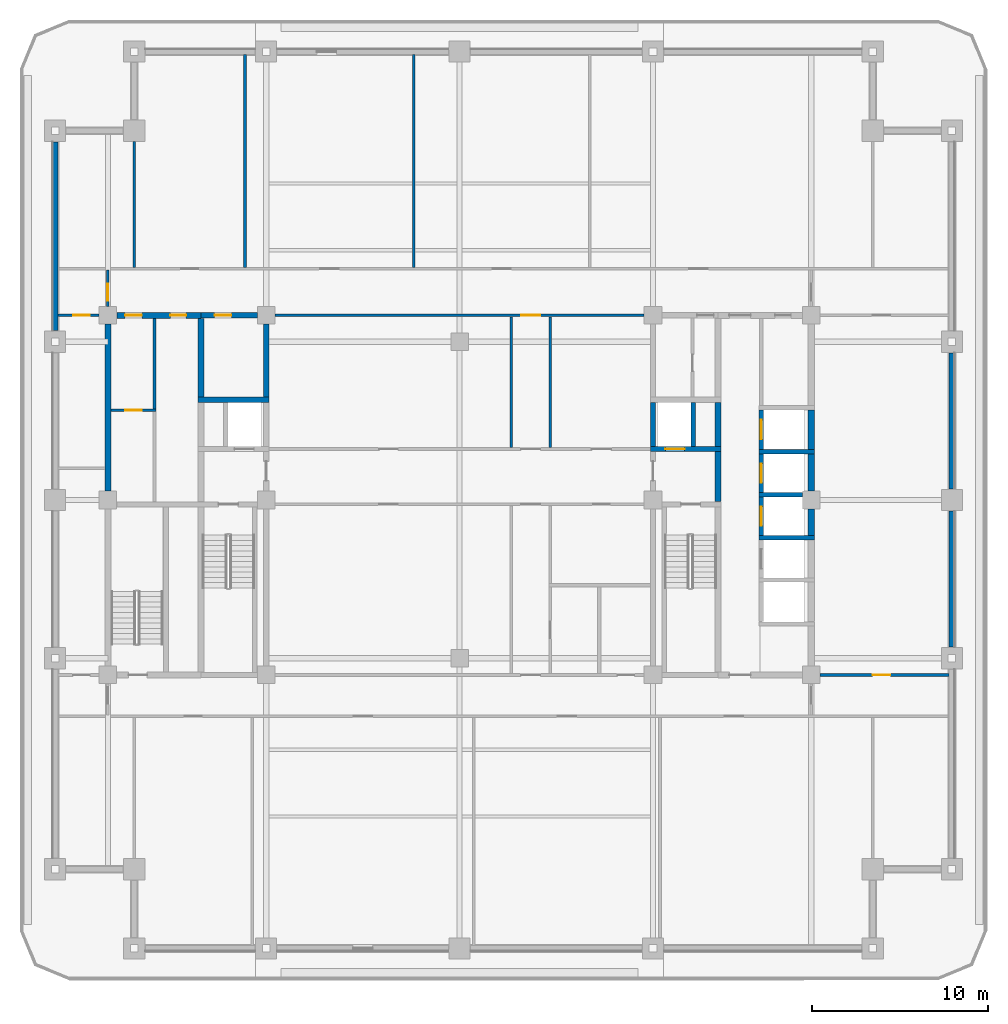
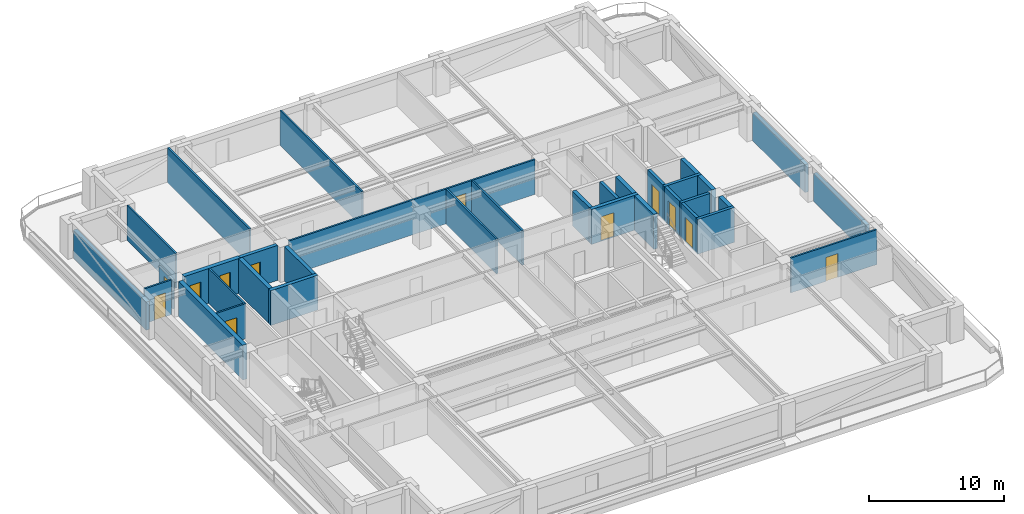
# One storey, part 4 of 13: 34 walls, 12 doors, 12 openings.
"""IFC4 building model written with IfcOpenShell, lengths in metres."""

from ifc_helpers import new_model, si_unit, direction, frame, frame_2d, origin, place, context, subcontext, project, spatial, rectangle, extrude, material, layer, layer_set, type_object, element, fill, save


model = new_model("IFC4")

# Units and contexts
model_context = context("Model", 3, precision=1e-05, world=origin(), true_north=direction((0.0, 1.0)))
body_context = subcontext(model_context, "Body", "Model", "MODEL_VIEW")
ifc_project = project(units=[si_unit("LENGTHUNIT", "METRE"), si_unit("AREAUNIT", "SQUARE_METRE"), si_unit("VOLUMEUNIT", "CUBIC_METRE"), si_unit("PLANEANGLEUNIT", "RADIAN"), si_unit("MASSUNIT", "GRAM", prefix="KILO")], contexts=[model_context])

# Site, building, storey
site_placement = place(None, origin())
site = spatial("IfcSite", under=ifc_project, at=site_placement, CompositionType="ELEMENT")
building_placement = place(site_placement, origin())
building = spatial("IfcBuilding", under=site, at=building_placement, Name="Zulmaris Gate Convention Tower", CompositionType="ELEMENT")
storey_placement = place(building_placement, frame((0.0, 0.0, 112.780029296875)))
storey = spatial("IfcBuildingStorey", under=building, at=storey_placement, Name="L28", CompositionType="ELEMENT", Elevation=112.780029296875)

# Walls
ifc_material_1 = material(Name="Concrete C50/60", Category="concrete")
ifc_layer_1 = layer(ifc_material_1, 0.25, Name="Concrete C50/60")
ifc_layer_set_1 = layer_set([ifc_layer_1], Name="Concrete C50/60")
wall_type_1 = type_object("IfcWallType", Name="CORE-250", PredefinedType="SOLIDWALL", material=ifc_layer_set_1)
wall_1_placement = place(storey_placement, frame((17.02490234375, -2.14990234375, 0.0), z_axis=(0.0, 0.0, 1.0), x_axis=(1.0, 0.0, 0.0)))
element("IfcWall", 1, at=wall_1_placement, inside=storey, type_object=wall_type_1, Name="WL-L28-007", PredefinedType="SOLIDWALL", context=body_context, shape_type="SweptSolid", body=[
    extrude(rectangle(XDim=3.150146484375, YDim=0.25, at=frame_2d((1.5751953125, 0.0))), origin(), (0.0, 0.0, 1.0), 3.144775390625),
])
wall_2_placement = place(storey_placement, frame((17.02490234375, 0.300048828125, 0.0), z_axis=(0.0, 0.0, 1.0), x_axis=(1.0, 0.0, 0.0)))
element("IfcWall", 2, at=wall_2_placement, inside=storey, type_object=wall_type_1, Name="WL-L28-010", PredefinedType="SOLIDWALL", context=body_context, shape_type="SweptSolid", body=[
    extrude(rectangle(XDim=2.47119140625, YDim=0.25, at=frame_2d((1.235595703125, 0.0))), origin(), (0.0, 0.0, 1.0), 3.144775390625),
])
wall_3_placement = place(storey_placement, frame((17.02490234375, 2.75, 0.0), z_axis=(0.0, 0.0, 1.0), x_axis=(1.0, 0.0, 0.0)))
element("IfcWall", 3, at=wall_3_placement, inside=storey, type_object=wall_type_1, Name="WL-L28-011", PredefinedType="SOLIDWALL", context=body_context, shape_type="SweptSolid", body=[
    extrude(rectangle(XDim=3.150146484375, YDim=0.25, at=frame_2d((1.5751953125, 0.0))), origin(), (0.0, 0.0, 1.0), 3.144775390625),
])
wall_4_placement = place(storey_placement, frame((13.300048828125, 3.052001953125, 0.0), z_axis=(0.0, 0.0, 1.0), x_axis=(0.0, 1.0, 0.0)))
element("IfcWall", 4, at=wall_4_placement, inside=storey, type_object=wall_type_1, Name="WL-L28-052", PredefinedType="SOLIDWALL", context=body_context, shape_type="SweptSolid", body=[
    extrude(rectangle(XDim=2.49609375, YDim=0.25, at=frame_2d((1.248046875, 0.0))), origin(), (0.0, 0.0, 1.0), 3.144775390625),
])

# Wall, opening, door
wall_5_placement = place(storey_placement, frame((17.14990234375, -2.02294921875, 0.0), z_axis=(0.0, 0.0, 1.0), x_axis=(0.0, 1.0, 0.0)))
wall_5 = element("IfcWall", 5, at=wall_5_placement, inside=storey, type_object=wall_type_1, Name="WL-L28-059", PredefinedType="SOLIDWALL", context=body_context, shape_type="SweptSolid", body=[
    extrude(rectangle(XDim=2.196044921875, YDim=0.25, at=frame_2d((1.09814453125, 0.0))), origin(), (0.0, 0.0, 1.0), 3.144775390625),
])
opening_1_placement = place(wall_5_placement, frame((0.548095703125, 0.0, 0.0)))
opening_1 = element("IfcOpeningElement", 6, at=opening_1_placement, cuts=wall_5, Name="Opening D-06", PredefinedType="OPENING", context=body_context, shape_type="SweptSolid", body=[
    extrude(rectangle(XDim=1.10009765625, YDim=2.199951171875, at=frame_2d((0.550048828125, 1.10009765625))), frame((0.0, 0.135009765625, 0.0), z_axis=(0.0, -1.0, 0.0), x_axis=(1.0, 0.0, 0.0)), (0.0, 0.0, 1.0), 0.27001953125),
])
ifc_material_2 = material(Name="Brushed Stainless Steel", Category="steel")
door_type_1 = type_object("IfcDoorType", Name="LD-1100", OperationType="NOTDEFINED", PredefinedType="DOOR", material=ifc_material_2)
door_1_placement = place(opening_1_placement, origin())
door_1 = element("IfcDoor", 7, at=door_1_placement, inside=storey, type_object=door_type_1, Name="L28 Lift Landing Door MP-02 15", OperationType="SLIDING_TO_RIGHT", OverallHeight=2.199951171875, OverallWidth=1.10009765625, PredefinedType="DOOR", context=body_context, shape_type="SweptSolid", body=[
    extrude(rectangle(XDim=1.10009765625, YDim=2.199951171875, at=frame_2d((0.550048828125, 1.10009765625))), frame((0.0, 0.02490234375, 0.0), z_axis=(0.0, -1.0, 0.0), x_axis=(1.0, 0.0, 0.0)), (0.0, 0.0, 1.0), 0.050048828125),
])
fill(opening_1, door_1)

wall_6_placement = place(storey_placement, frame((17.14990234375, 0.427001953125, 0.0), z_axis=(0.0, 0.0, 1.0), x_axis=(0.0, 1.0, 0.0)))
wall_6 = element("IfcWall", 8, at=wall_6_placement, inside=storey, type_object=wall_type_1, Name="WL-L28-060", PredefinedType="SOLIDWALL", context=body_context, shape_type="SweptSolid", body=[
    extrude(rectangle(XDim=2.196044921875, YDim=0.25, at=frame_2d((1.09814453125, 0.0))), origin(), (0.0, 0.0, 1.0), 3.144775390625),
])
opening_2_placement = place(wall_6_placement, frame((0.548095703125, 0.0, 0.0)))
opening_2 = element("IfcOpeningElement", 9, at=opening_2_placement, cuts=wall_6, Name="Opening D-06", PredefinedType="OPENING", context=body_context, shape_type="SweptSolid", body=[
    extrude(rectangle(XDim=1.10009765625, YDim=2.199951171875, at=frame_2d((0.550048828125, 1.10009765625))), frame((0.0, 0.135009765625, 0.0), z_axis=(0.0, -1.0, 0.0), x_axis=(1.0, 0.0, 0.0)), (0.0, 0.0, 1.0), 0.27001953125),
])
door_2_placement = place(opening_2_placement, origin())
door_2 = element("IfcDoor", 10, at=door_2_placement, inside=storey, type_object=door_type_1, Name="L28 Lift Landing Door MP-03 16", OperationType="SLIDING_TO_RIGHT", OverallHeight=2.199951171875, OverallWidth=1.10009765625, PredefinedType="DOOR", context=body_context, shape_type="SweptSolid", body=[
    extrude(rectangle(XDim=1.10009765625, YDim=2.199951171875, at=frame_2d((0.550048828125, 1.10009765625))), frame((0.0, 0.02490234375, 0.0), z_axis=(0.0, -1.0, 0.0), x_axis=(1.0, 0.0, 0.0)), (0.0, 0.0, 1.0), 0.050048828125),
])
fill(opening_2, door_2)

wall_7_placement = place(storey_placement, frame((17.14990234375, 2.876953125, 0.0), z_axis=(0.0, 0.0, 1.0), x_axis=(0.0, 1.0, 0.0)))
wall_7 = element("IfcWall", 11, at=wall_7_placement, inside=storey, type_object=wall_type_1, Name="WL-L28-061", PredefinedType="SOLIDWALL", context=body_context, shape_type="SweptSolid", body=[
    extrude(rectangle(XDim=2.24609375, YDim=0.25, at=frame_2d((1.123046875, 0.0))), origin(), (0.0, 0.0, 1.0), 3.144775390625),
])
opening_3_placement = place(wall_7_placement, frame((0.572998046875, 0.0, 0.0)))
opening_3 = element("IfcOpeningElement", 12, at=opening_3_placement, cuts=wall_7, Name="Opening D-06", PredefinedType="OPENING", context=body_context, shape_type="SweptSolid", body=[
    extrude(rectangle(XDim=1.10009765625, YDim=2.199951171875, at=frame_2d((0.550048828125, 1.10009765625))), frame((0.0, 0.135009765625, 0.0), z_axis=(0.0, -1.0, 0.0), x_axis=(1.0, 0.0, 0.0)), (0.0, 0.0, 1.0), 0.27001953125),
])
door_3_placement = place(opening_3_placement, origin())
door_3 = element("IfcDoor", 13, at=door_3_placement, inside=storey, type_object=door_type_1, Name="L28 Lift Landing Door MP-04 17", OperationType="SLIDING_TO_RIGHT", OverallHeight=2.199951171875, OverallWidth=1.10009765625, PredefinedType="DOOR", context=body_context, shape_type="SweptSolid", body=[
    extrude(rectangle(XDim=1.10009765625, YDim=2.199951171875, at=frame_2d((0.550048828125, 1.10009765625))), frame((0.0, 0.02490234375, 0.0), z_axis=(0.0, -1.0, 0.0), x_axis=(1.0, 0.0, 0.0)), (0.0, 0.0, 1.0), 0.050048828125),
])
fill(opening_3, door_3)

ifc_layer_2 = layer(ifc_material_1, 0.300048828125, Name="Concrete C50/60")
ifc_layer_set_2 = layer_set([ifc_layer_2], Name="Concrete C50/60")
wall_type_2 = type_object("IfcWallType", Name="CORE-300", PredefinedType="SHEAR", material=ifc_layer_set_2)
wall_8_placement = place(storey_placement, frame((10.85009765625, 2.89990234375, 0.0), z_axis=(0.0, 0.0, 1.0), x_axis=(1.0, 0.0, 0.0)))
wall_8 = element("IfcWall", 14, at=wall_8_placement, inside=storey, type_object=wall_type_2, Name="WL-L28-013", PredefinedType="SHEAR", context=body_context, shape_type="SweptSolid", body=[
    extrude(rectangle(XDim=4.02490234375, YDim=0.300048828125, at=frame_2d((2.012451171875, 0.0))), origin(), (0.0, 0.0, 1.0), 3.144775390625),
])
opening_4_placement = place(wall_8_placement, frame((0.85009765625, 0.0, 0.0)))
opening_4 = element("IfcOpeningElement", 15, at=opening_4_placement, cuts=wall_8, Name="Opening D-06", PredefinedType="OPENING", context=body_context, shape_type="SweptSolid", body=[
    extrude(rectangle(XDim=1.10009765625, YDim=2.199951171875, at=frame_2d((0.550048828125, 1.10009765625))), frame((0.0, 0.16015625, 0.0), z_axis=(0.0, -1.0, 0.0), x_axis=(1.0, 0.0, 0.0)), (0.0, 0.0, 1.0), 0.320068359375),
])
door_4_placement = place(opening_4_placement, origin())
door_4 = element("IfcDoor", 16, at=door_4_placement, inside=storey, type_object=door_type_1, Name="L28 Lift Landing Door LF-02 06", OperationType="SLIDING_TO_RIGHT", OverallHeight=2.199951171875, OverallWidth=1.10009765625, PredefinedType="DOOR", context=body_context, shape_type="SweptSolid", body=[
    extrude(rectangle(XDim=1.10009765625, YDim=2.199951171875, at=frame_2d((0.550048828125, 1.10009765625))), frame((0.0, 0.02490234375, 0.0), z_axis=(0.0, -1.0, 0.0), x_axis=(1.0, 0.0, 0.0)), (0.0, 0.0, 1.0), 0.050048828125),
])
fill(opening_4, door_4)

# Wall
wall_9_placement = place(storey_placement, frame((-14.875, 5.699951171875, 0.0), z_axis=(0.0, 0.0, 1.0), x_axis=(1.0, 0.0, 0.0)))
element("IfcWall", 17, at=wall_9_placement, inside=storey, type_object=wall_type_2, Name="WL-L28-015", PredefinedType="SHEAR", context=body_context, shape_type="SweptSolid", body=[
    extrude(rectangle(XDim=4.02490234375, YDim=0.300048828125, at=frame_2d((2.012451171875, 0.0))), origin(), (0.0, 0.0, 1.0), 3.144775390625),
])

# Wall, opening, door
wall_10_placement = place(storey_placement, frame((-14.699951171875, 10.5, 0.0), z_axis=(0.0, 0.0, 1.0), x_axis=(1.0, 0.0, 0.0)))
wall_10 = element("IfcWall", 18, at=wall_10_placement, inside=storey, type_object=wall_type_2, Name="WL-L28-018", PredefinedType="SHEAR", context=body_context, shape_type="SweptSolid", body=[
    extrude(rectangle(XDim=3.196044921875, YDim=0.300048828125, at=frame_2d((1.59814453125, 0.0))), origin(), (0.0, 0.0, 1.0), 3.144775390625),
])
opening_5_placement = place(wall_10_placement, frame((0.77490234375, 0.0, 0.0)))
opening_5 = element("IfcOpeningElement", 19, at=opening_5_placement, cuts=wall_10, Name="Opening D-11", PredefinedType="OPENING", context=body_context, shape_type="SweptSolid", body=[
    extrude(rectangle(XDim=0.949951171875, YDim=2.14990234375, at=frame_2d((0.47509765625, 1.074951171875))), frame((0.0, 0.16015625, 0.0), z_axis=(0.0, -1.0, 0.0), x_axis=(1.0, 0.0, 0.0)), (0.0, 0.0, 1.0), 0.320068359375),
])
ifc_material_3 = material(Name="Fire-Rated Timber", Category="wood")
door_type_2 = type_object("IfcDoorType", Name="DR-950-FD", OperationType="NOTDEFINED", PredefinedType="DOOR", material=ifc_material_3)
door_5_placement = place(opening_5_placement, origin())
door_5 = element("IfcDoor", 20, at=door_5_placement, inside=storey, type_object=door_type_2, Name="L28 Core Archive Door 07", OperationType="SINGLE_SWING_RIGHT", OverallHeight=2.14990234375, OverallWidth=0.949951171875, PredefinedType="DOOR", context=body_context, shape_type="SweptSolid", body=[
    extrude(rectangle(XDim=0.949951171875, YDim=2.14990234375, at=frame_2d((0.47509765625, 1.074951171875))), frame((0.0, 0.02490234375, 0.0), z_axis=(0.0, -1.0, 0.0), x_axis=(1.0, 0.0, 0.0)), (0.0, 0.0, 1.0), 0.050048828125),
])
fill(opening_5, door_5)

# Walls
wall_11_placement = place(storey_placement, frame((-11.0, 5.85205078125, 0.0), z_axis=(0.0, 0.0, 1.0), x_axis=(0.0, 1.0, 0.0)))
element("IfcWall", 21, at=wall_11_placement, inside=storey, type_object=wall_type_2, Name="WL-L28-046", PredefinedType="SHEAR", context=body_context, shape_type="SweptSolid", body=[
    extrude(rectangle(XDim=4.14404296875, YDim=0.300048828125, at=frame_2d((2.072021484375, 0.0))), origin(), (0.0, 0.0, 1.0), 3.144775390625),
])
wall_12_placement = place(storey_placement, frame((11.0, 3.052001953125, 0.0), z_axis=(0.0, 0.0, 1.0), x_axis=(0.0, 1.0, 0.0)))
element("IfcWall", 22, at=wall_12_placement, inside=storey, type_object=wall_type_2, Name="WL-L28-049", PredefinedType="SHEAR", context=body_context, shape_type="SweptSolid", body=[
    extrude(rectangle(XDim=2.49609375, YDim=0.300048828125, at=frame_2d((1.248046875, 0.0))), origin(), (0.0, 0.0, 1.0), 3.144775390625),
])

# Wall, openings, doors
ifc_material_4 = material(Name="Concrete C55/67", Category="concrete")
ifc_layer_3 = layer(ifc_material_4, 0.35009765625, Name="Concrete C55/67")
ifc_layer_set_3 = layer_set([ifc_layer_3], Name="Concrete C55/67")
wall_type_3 = type_object("IfcWallType", Name="CORE-350", PredefinedType="SHEAR", material=ifc_layer_set_3)
wall_13_placement = place(storey_placement, frame((-19.49609375, 10.5, 0.0), z_axis=(0.0, 0.0, 1.0), x_axis=(1.0, 0.0, 0.0)))
wall_13 = element("IfcWall", 23, at=wall_13_placement, inside=storey, type_object=wall_type_3, Name="WL-L28-017", PredefinedType="SHEAR", context=body_context, shape_type="SweptSolid", body=[
    extrude(rectangle(XDim=4.796142578125, YDim=0.35009765625, at=frame_2d((2.39794921875, 0.0))), origin(), (0.0, 0.0, 1.0), 3.144775390625),
])
opening_6_placement = place(wall_13_placement, frame((0.470947265625, 0.0, 0.0)))
opening_6 = element("IfcOpeningElement", 24, at=opening_6_placement, cuts=wall_13, Name="Opening D-11", PredefinedType="OPENING", context=body_context, shape_type="SweptSolid", body=[
    extrude(rectangle(XDim=0.949951171875, YDim=2.14990234375, at=frame_2d((0.47509765625, 1.074951171875))), frame((0.0, 0.18505859375, 0.0), z_axis=(0.0, -1.0, 0.0), x_axis=(1.0, 0.0, 0.0)), (0.0, 0.0, 1.0), 0.3701171875),
])
opening_7_placement = place(wall_13_placement, frame((3.0458984375, 0.0, 0.0)))
opening_7 = element("IfcOpeningElement", 25, at=opening_7_placement, cuts=wall_13, Name="Opening D-12", PredefinedType="OPENING", context=body_context, shape_type="SweptSolid", body=[
    extrude(rectangle(XDim=0.89990234375, YDim=2.14990234375, at=frame_2d((0.449951171875, 1.074951171875))), frame((0.0, 0.18505859375, 0.0), z_axis=(0.0, -1.0, 0.0), x_axis=(1.0, 0.0, 0.0)), (0.0, 0.0, 1.0), 0.3701171875),
])
door_type_3 = type_object("IfcDoorType", Name="DR-900-FD", OperationType="NOTDEFINED", PredefinedType="DOOR", material=ifc_material_3)
door_6_placement = place(opening_7_placement, origin())
door_6 = element("IfcDoor", 26, at=door_6_placement, inside=storey, type_object=door_type_3, Name="L28 Staff WC Door 13", OperationType="SINGLE_SWING_RIGHT", OverallHeight=2.14990234375, OverallWidth=0.89990234375, PredefinedType="DOOR", context=body_context, shape_type="SweptSolid", body=[
    extrude(rectangle(XDim=0.89990234375, YDim=2.14990234375, at=frame_2d((0.449951171875, 1.074951171875))), frame((0.0, 0.02490234375, 0.0), z_axis=(0.0, -1.0, 0.0), x_axis=(1.0, 0.0, 0.0)), (0.0, 0.0, 1.0), 0.050048828125),
])
fill(opening_7, door_6)
door_7_placement = place(opening_6_placement, origin())
door_7 = element("IfcDoor", 27, at=door_7_placement, inside=storey, type_object=door_type_2, Name="L28 Linen Store Door 11", OperationType="SINGLE_SWING_RIGHT", OverallHeight=2.14990234375, OverallWidth=0.949951171875, PredefinedType="DOOR", context=body_context, shape_type="SweptSolid", body=[
    extrude(rectangle(XDim=0.949951171875, YDim=2.14990234375, at=frame_2d((0.47509765625, 1.074951171875))), frame((0.0, 0.02490234375, 0.0), z_axis=(0.0, -1.0, 0.0), x_axis=(1.0, 0.0, 0.0)), (0.0, 0.0, 1.0), 0.050048828125),
])
fill(opening_6, door_7)

# Walls
wall_14_placement = place(storey_placement, frame((-20.0, 0.50390625, 0.0), z_axis=(0.0, 0.0, 1.0), x_axis=(0.0, 1.0, 0.0)))
element("IfcWall", 28, at=wall_14_placement, inside=storey, type_object=wall_type_3, Name="WL-L28-035", PredefinedType="SHEAR", context=body_context, shape_type="SweptSolid", body=[
    extrude(rectangle(XDim=9.4921875, YDim=0.35009765625, at=frame_2d((4.74609375, 0.0))), origin(), (0.0, 0.0, 1.0), 3.144775390625),
])
wall_15_placement = place(storey_placement, frame((-14.699951171875, 5.85205078125, 0.0), z_axis=(0.0, 0.0, 1.0), x_axis=(0.0, 1.0, 0.0)))
element("IfcWall", 29, at=wall_15_placement, inside=storey, type_object=wall_type_3, Name="WL-L28-040", PredefinedType="SHEAR", context=body_context, shape_type="SweptSolid", body=[
    extrude(rectangle(XDim=4.470947265625, YDim=0.35009765625, at=frame_2d((2.2353515625, 0.0))), origin(), (0.0, 0.0, 1.0), 3.144775390625),
])
wall_16_placement = place(storey_placement, frame((14.699951171875, -0.097900390625, 0.0), z_axis=(0.0, 0.0, 1.0), x_axis=(0.0, 1.0, 0.0)))
element("IfcWall", 30, at=wall_16_placement, inside=storey, type_object=wall_type_3, Name="WL-L28-054", PredefinedType="SHEAR", context=body_context, shape_type="SweptSolid", body=[
    extrude(rectangle(XDim=2.845947265625, YDim=0.35009765625, at=frame_2d((1.4228515625, 0.0))), origin(), (0.0, 0.0, 1.0), 3.144775390625),
])
wall_17_placement = place(storey_placement, frame((14.699951171875, 3.052001953125, 0.0), z_axis=(0.0, 0.0, 1.0), x_axis=(0.0, 1.0, 0.0)))
element("IfcWall", 31, at=wall_17_placement, inside=storey, type_object=wall_type_3, Name="WL-L28-055", PredefinedType="SHEAR", context=body_context, shape_type="SweptSolid", body=[
    extrude(rectangle(XDim=2.49609375, YDim=0.35009765625, at=frame_2d((1.248046875, 0.0))), origin(), (0.0, 0.0, 1.0), 3.144775390625),
])
wall_18_placement = place(storey_placement, frame((20.0, -2.02294921875, 0.0), z_axis=(0.0, 0.0, 1.0), x_axis=(0.0, 1.0, 0.0)))
element("IfcWall", 32, at=wall_18_placement, inside=storey, type_object=wall_type_3, Name="WL-L28-065", PredefinedType="SHEAR", context=body_context, shape_type="SweptSolid", body=[
    extrude(rectangle(XDim=1.51904296875, YDim=0.35009765625, at=frame_2d((0.759521484375, 0.0))), origin(), (0.0, 0.0, 1.0), 3.144775390625),
])
wall_19_placement = place(storey_placement, frame((20.0, 0.50390625, 0.0), z_axis=(0.0, 0.0, 1.0), x_axis=(0.0, 1.0, 0.0)))
element("IfcWall", 33, at=wall_19_placement, inside=storey, type_object=wall_type_3, Name="WL-L28-066", PredefinedType="SHEAR", context=body_context, shape_type="SweptSolid", body=[
    extrude(rectangle(XDim=2.119140625, YDim=0.35009765625, at=frame_2d((1.0595703125, 0.0))), origin(), (0.0, 0.0, 1.0), 3.144775390625),
])
wall_20_placement = place(storey_placement, frame((20.0, 2.876953125, 0.0), z_axis=(0.0, 0.0, 1.0), x_axis=(0.0, 1.0, 0.0)))
element("IfcWall", 34, at=wall_20_placement, inside=storey, type_object=wall_type_3, Name="WL-L28-067", PredefinedType="SHEAR", context=body_context, shape_type="SweptSolid", body=[
    extrude(rectangle(XDim=2.24609375, YDim=0.35009765625, at=frame_2d((1.123046875, 0.0))), origin(), (0.0, 0.0, 1.0), 3.144775390625),
])

# Wall, opening, door
ifc_material_5 = material(Name="Gypsum Metal Stud Partition")
ifc_layer_4 = layer(ifc_material_5, 0.14990234375, Name="Gypsum Metal Stud Partition")
ifc_layer_set_4 = layer_set([ifc_layer_4], Name="Gypsum Metal Stud Partition")
wall_type_4 = type_object("IfcWallType", Name="PART-150", PredefinedType="PARTITIONING", material=ifc_layer_set_4)
wall_21_placement = place(storey_placement, frame((20.506103515625, -9.949951171875, 0.0), z_axis=(0.0, 0.0, 1.0), x_axis=(1.0, 0.0, 0.0)))
wall_21 = element("IfcWall", 35, at=wall_21_placement, inside=storey, type_object=wall_type_4, Name="WL-L28-024", PredefinedType="PARTITIONING", context=body_context, shape_type="SweptSolid", body=[
    extrude(rectangle(XDim=7.328857421875, YDim=0.14990234375, at=frame_2d((3.66455078125, 0.0))), origin(), (0.0, 0.0, 1.0), 3.144775390625),
])
opening_8_placement = place(wall_21_placement, frame((2.993896484375, 0.0, 0.0)))
opening_8 = element("IfcOpeningElement", 36, at=opening_8_placement, cuts=wall_21, Name="Opening D-10", PredefinedType="OPENING", context=body_context, shape_type="SweptSolid", body=[
    extrude(rectangle(XDim=1.0, YDim=2.14990234375, at=frame_2d((0.5, 1.074951171875))), frame((0.0, 0.0849609375, 0.0), z_axis=(0.0, -1.0, 0.0), x_axis=(1.0, 0.0, 0.0)), (0.0, 0.0, 1.0), 0.169921875),
])
door_type_4 = type_object("IfcDoorType", Name="DR-1000-FD", OperationType="NOTDEFINED", PredefinedType="DOOR", material=ifc_material_3)
door_8_placement = place(opening_8_placement, origin())
door_8 = element("IfcDoor", 37, at=door_8_placement, inside=storey, type_object=door_type_4, Name="L28 East Workplace South Door 46", OperationType="SINGLE_SWING_LEFT", OverallHeight=2.14990234375, OverallWidth=1.0, PredefinedType="DOOR", context=body_context, shape_type="SweptSolid", body=[
    extrude(rectangle(XDim=1.0, YDim=2.14990234375, at=frame_2d((0.5, 1.074951171875))), frame((0.0, 0.02490234375, 0.0), z_axis=(0.0, -1.0, 0.0), x_axis=(1.0, 0.0, 0.0)), (0.0, 0.0, 1.0), 0.050048828125),
])
fill(opening_8, door_8)

wall_22_placement = place(storey_placement, frame((-19.822021484375, 5.10009765625, 0.0), z_axis=(0.0, 0.0, 1.0), x_axis=(1.0, 0.0, 0.0)))
wall_22 = element("IfcWall", 38, at=wall_22_placement, inside=storey, type_object=wall_type_4, Name="WL-L28-029", PredefinedType="PARTITIONING", context=body_context, shape_type="SweptSolid", body=[
    extrude(rectangle(XDim=2.547119140625, YDim=0.14990234375, at=frame_2d((1.2734375, 0.0))), origin(), (0.0, 0.0, 1.0), 3.144775390625),
])
opening_9_placement = place(wall_22_placement, frame((0.797119140625, 0.0, 0.0)))
opening_9 = element("IfcOpeningElement", 39, at=opening_9_placement, cuts=wall_22, Name="Opening D-11", PredefinedType="OPENING", context=body_context, shape_type="SweptSolid", body=[
    extrude(rectangle(XDim=0.949951171875, YDim=2.14990234375, at=frame_2d((0.47509765625, 1.074951171875))), frame((0.0, 0.0849609375, 0.0), z_axis=(0.0, -1.0, 0.0), x_axis=(1.0, 0.0, 0.0)), (0.0, 0.0, 1.0), 0.169921875),
])
door_9_placement = place(opening_9_placement, origin())
door_9 = element("IfcDoor", 40, at=door_9_placement, inside=storey, type_object=door_type_2, Name="L28 Equipment Store Door 12", OperationType="SINGLE_SWING_LEFT", OverallHeight=2.14990234375, OverallWidth=0.949951171875, PredefinedType="DOOR", context=body_context, shape_type="SweptSolid", body=[
    extrude(rectangle(XDim=0.949951171875, YDim=2.14990234375, at=frame_2d((0.47509765625, 1.074951171875))), frame((0.0, 0.02490234375, 0.0), z_axis=(0.0, -1.0, 0.0), x_axis=(1.0, 0.0, 0.0)), (0.0, 0.0, 1.0), 0.050048828125),
])
fill(opening_9, door_9)

wall_23_placement = place(storey_placement, frame((-22.8349609375, 10.5, 0.0), z_axis=(0.0, 0.0, 1.0), x_axis=(1.0, 0.0, 0.0)))
wall_23 = element("IfcWall", 41, at=wall_23_placement, inside=storey, type_object=wall_type_4, Name="WL-L28-030", PredefinedType="PARTITIONING", context=body_context, shape_type="SweptSolid", body=[
    extrude(rectangle(XDim=2.328857421875, YDim=0.14990234375, at=frame_2d((1.16455078125, 0.0))), origin(), (0.0, 0.0, 1.0), 3.144775390625),
])
opening_10_placement = place(wall_23_placement, frame((0.860107421875, 0.0, 0.0)))
opening_10 = element("IfcOpeningElement", 42, at=opening_10_placement, cuts=wall_23, Name="Opening D-11", PredefinedType="OPENING", context=body_context, shape_type="SweptSolid", body=[
    extrude(rectangle(XDim=0.949951171875, YDim=2.14990234375, at=frame_2d((0.47509765625, 1.074951171875))), frame((0.0, 0.0849609375, 0.0), z_axis=(0.0, -1.0, 0.0), x_axis=(1.0, 0.0, 0.0)), (0.0, 0.0, 1.0), 0.169921875),
])
door_10_placement = place(opening_10_placement, origin())
door_10 = element("IfcDoor", 43, at=door_10_placement, inside=storey, type_object=door_type_2, Name="L28 NW Partner Door 41", OperationType="SINGLE_SWING_RIGHT", OverallHeight=2.14990234375, OverallWidth=0.949951171875, PredefinedType="DOOR", context=body_context, shape_type="SweptSolid", body=[
    extrude(rectangle(XDim=0.949951171875, YDim=2.14990234375, at=frame_2d((0.47509765625, 1.074951171875))), frame((0.0, 0.02490234375, 0.0), z_axis=(0.0, -1.0, 0.0), x_axis=(1.0, 0.0, 0.0)), (0.0, 0.0, 1.0), 0.050048828125),
])
fill(opening_10, door_10)

wall_24_placement = place(storey_placement, frame((-10.493896484375, 10.5, 0.0), z_axis=(0.0, 0.0, 1.0), x_axis=(1.0, 0.0, 0.0)))
wall_24 = element("IfcWall", 44, at=wall_24_placement, inside=storey, type_object=wall_type_4, Name="WL-L28-031", PredefinedType="PARTITIONING", context=body_context, shape_type="SweptSolid", body=[
    extrude(rectangle(XDim=20.98779296875, YDim=0.14990234375, at=frame_2d((10.493896484375, 0.0))), origin(), (0.0, 0.0, 1.0), 3.144775390625),
])
opening_11_placement = place(wall_24_placement, frame((13.993896484375, 0.0, 0.0)))
opening_11 = element("IfcOpeningElement", 45, at=opening_11_placement, cuts=wall_24, Name="Opening D-08", PredefinedType="OPENING", context=body_context, shape_type="SweptSolid", body=[
    extrude(rectangle(XDim=1.10009765625, YDim=2.14990234375, at=frame_2d((0.550048828125, 1.074951171875))), frame((0.0, 0.0849609375, 0.0), z_axis=(0.0, -1.0, 0.0), x_axis=(1.0, 0.0, 0.0)), (0.0, 0.0, 1.0), 0.169921875),
])
ifc_material_6 = material(Name="Fire-Rated Steel", Category="steel")
door_type_5 = type_object("IfcDoorType", Name="DR-1100-FD", OperationType="NOTDEFINED", PredefinedType="DOOR", material=ifc_material_6)
door_11_placement = place(opening_11_placement, origin())
door_11 = element("IfcDoor", 46, at=door_11_placement, inside=storey, type_object=door_type_5, Name="L28 North Gallery Link Door 21", OperationType="SINGLE_SWING_RIGHT", OverallHeight=2.14990234375, OverallWidth=1.10009765625, PredefinedType="DOOR", context=body_context, shape_type="SweptSolid", body=[
    extrude(rectangle(XDim=1.10009765625, YDim=2.14990234375, at=frame_2d((0.550048828125, 1.074951171875))), frame((0.0, 0.02490234375, 0.0), z_axis=(0.0, -1.0, 0.0), x_axis=(1.0, 0.0, 0.0)), (0.0, 0.0, 1.0), 0.050048828125),
])
fill(opening_11, door_11)

wall_25_placement = place(storey_placement, frame((-20.0, 11.006103515625, 0.0), z_axis=(0.0, 0.0, 1.0), x_axis=(0.0, 1.0, 0.0)))
wall_25 = element("IfcWall", 47, at=wall_25_placement, inside=storey, type_object=wall_type_4, Name="WL-L28-070", PredefinedType="PARTITIONING", context=body_context, shape_type="SweptSolid", body=[
    extrude(rectangle(XDim=2.06591796875, YDim=0.14990234375, at=frame_2d((1.032958984375, 0.0))), origin(), (0.0, 0.0, 1.0), 2.634765625),
])
opening_12_placement = place(wall_25_placement, frame((0.339111328125, 0.0, 0.0)))
opening_12 = element("IfcOpeningElement", 48, at=opening_12_placement, cuts=wall_25, Name="Opening D-11", PredefinedType="OPENING", context=body_context, shape_type="SweptSolid", body=[
    extrude(rectangle(XDim=0.949951171875, YDim=2.14990234375, at=frame_2d((0.47509765625, 1.074951171875))), frame((0.0, 0.0849609375, 0.0), z_axis=(0.0, -1.0, 0.0), x_axis=(1.0, 0.0, 0.0)), (0.0, 0.0, 1.0), 0.169921875),
])
door_12_placement = place(opening_12_placement, origin())
door_12 = element("IfcDoor", 49, at=door_12_placement, inside=storey, type_object=door_type_2, Name="L28 NW Spur Door 39", OperationType="SINGLE_SWING_RIGHT", OverallHeight=2.14990234375, OverallWidth=0.949951171875, PredefinedType="DOOR", context=body_context, shape_type="SweptSolid", body=[
    extrude(rectangle(XDim=0.949951171875, YDim=2.14990234375, at=frame_2d((0.47509765625, 1.074951171875))), frame((0.0, 0.02490234375, 0.0), z_axis=(0.0, -1.0, 0.0), x_axis=(1.0, 0.0, 0.0)), (0.0, 0.0, 1.0), 0.050048828125),
])
fill(opening_12, door_12)

# Walls
wall_26_placement = place(storey_placement, frame((-18.5, 13.22802734375, 0.0), z_axis=(0.0, 0.0, 1.0), x_axis=(0.0, 1.0, 0.0)))
element("IfcWall", 50, at=wall_26_placement, inside=storey, type_object=wall_type_4, Name="WL-L28-072", PredefinedType="PARTITIONING", context=body_context, shape_type="SweptSolid", body=[
    extrude(rectangle(XDim=7.166015625, YDim=0.14990234375, at=frame_2d((3.5830078125, 0.0))), origin(), (0.0, 0.0, 1.0), 3.144775390625),
])
wall_27_placement = place(storey_placement, frame((-17.35009765625, 5.177978515625, 0.0), z_axis=(0.0, 0.0, 1.0), x_axis=(0.0, 1.0, 0.0)))
element("IfcWall", 51, at=wall_27_placement, inside=storey, type_object=wall_type_4, Name="WL-L28-074", PredefinedType="PARTITIONING", context=body_context, shape_type="SweptSolid", body=[
    extrude(rectangle(XDim=5.14404296875, YDim=0.14990234375, at=frame_2d((2.572021484375, 0.0))), origin(), (0.0, 0.0, 1.0), 3.144775390625),
])
for number, where, z_axis, x_axis, name in (
    (52, (-12.199951171875, 13.22802734375, 0.0), (0.0, 0.0, 1.0), (0.0, 1.0, 0.0), "WL-L28-075"),
    (53, (-2.60009765625, 13.22802734375, 0.0), (0.0, 0.0, 1.0), (0.0, 1.0, 0.0), "WL-L28-077"),
):
    element("IfcWall", number, at=place(storey_placement, frame(where, z_axis=z_axis, x_axis=x_axis)), inside=storey, type_object=wall_type_4, Name=name, PredefinedType="PARTITIONING", context=body_context, shape_type="SweptSolid", body=[
        extrude(rectangle(XDim=12.10693359375, YDim=0.14990234375, at=frame_2d((6.053466796875, 0.0))), origin(), (0.0, 0.0, 1.0), 3.144775390625),
    ])
for number, where, z_axis, x_axis, name in (
    (54, (2.949951171875, 2.97802734375, 0.0), (0.0, 0.0, 1.0), (0.0, 1.0, 0.0), "WL-L28-080"),
    (55, (5.14990234375, 2.97802734375, 0.0), (0.0, 0.0, 1.0), (0.0, 1.0, 0.0), "WL-L28-083"),
):
    element("IfcWall", number, at=place(storey_placement, frame(where, z_axis=z_axis, x_axis=x_axis)), inside=storey, type_object=wall_type_4, Name=name, PredefinedType="PARTITIONING", context=body_context, shape_type="SweptSolid", body=[
        extrude(rectangle(XDim=7.444091796875, YDim=0.14990234375, at=frame_2d((3.72216796875, 0.0))), origin(), (0.0, 0.0, 1.0), 3.144775390625),
    ])
ifc_material_7 = material(Name="Precast concrete C40/50", Category="concrete")
ifc_layer_5 = layer(ifc_material_7, 0.300048828125, Name="Precast concrete C40/50")
ifc_layer_set_5 = layer_set([ifc_layer_5], Name="Precast concrete C40/50")
wall_type_5 = type_object("IfcWallType", Name="PRECAST-PIER-300", PredefinedType="STANDARD", material=ifc_layer_set_5)
for number, where, z_axis, x_axis, name in (
    (56, (28.0, -8.3701171875, 0.0), (0.0, 0.0, 1.0), (0.0, 1.0, 0.0), "EW-L28-E-1_0"),
    (57, (28.0, 0.6298828125, 0.0), (0.0, 0.0, 1.0), (0.0, 1.0, 0.0), "EW-L28-E-2_0"),
):
    element("IfcWall", number, at=place(storey_placement, frame(where, z_axis=z_axis, x_axis=x_axis)), inside=storey, type_object=wall_type_5, Name=name, PredefinedType="STANDARD", context=body_context, shape_type="SweptSolid", body=[
        extrude(rectangle(XDim=7.740234375, YDim=0.300048828125, at=frame_2d((3.8701171875, 0.0))), origin(), (0.0, 0.0, 1.0), 2.536865234375),
    ])
wall_28_placement = place(storey_placement, frame((-23.0, 20.3701171875, 0.0), z_axis=(0.0, 0.0, 1.0), x_axis=(0.0, -1.0, 0.0)))
element("IfcWall", 58, at=wall_28_placement, inside=storey, type_object=wall_type_5, Name="EW-L28-W-3_0", PredefinedType="STANDARD", context=body_context, shape_type="SweptSolid", body=[
    extrude(rectangle(XDim=10.740234375, YDim=0.300048828125, at=frame_2d((5.3701171875, 0.0))), origin(), (0.0, 0.0, 1.0), 2.536865234375),
])

save(model, "model.ifc")
